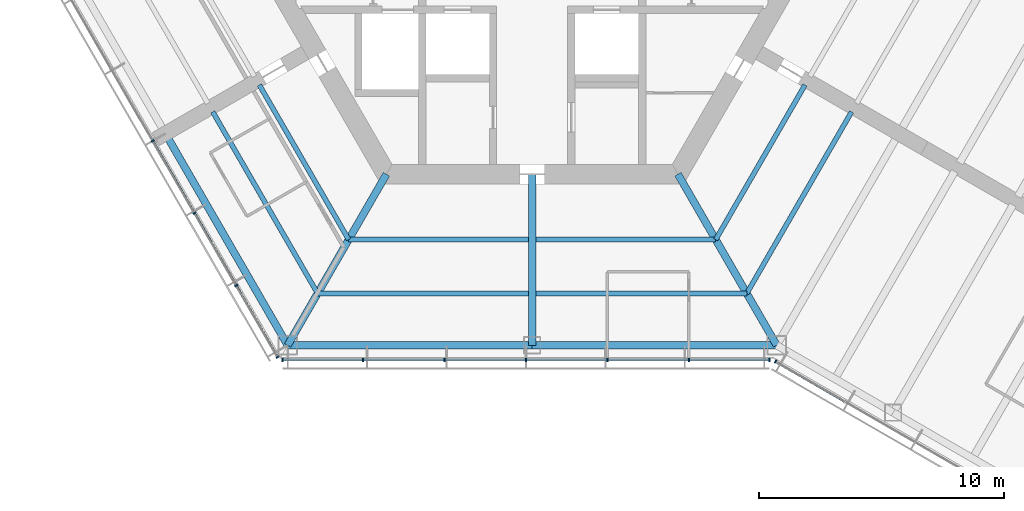
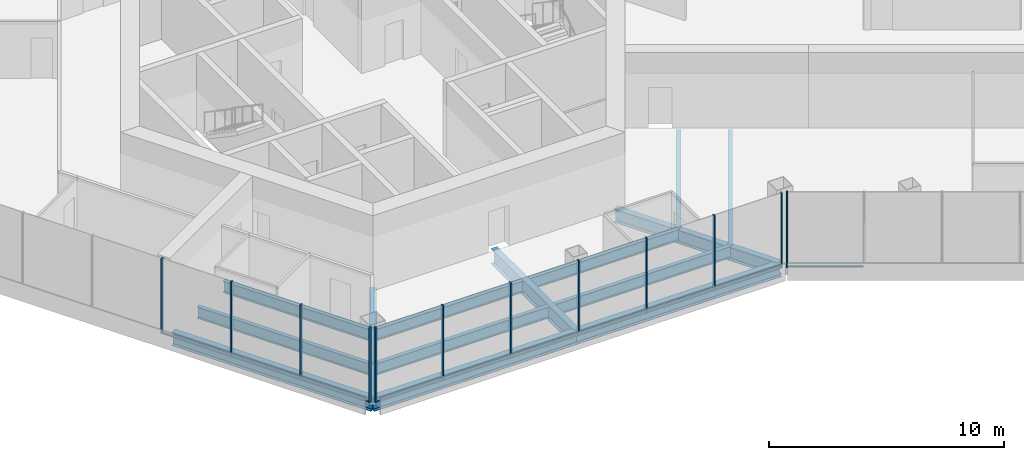
# One storey, part 2 of 15: 22 members, 14 beams, 3 elements without a shape of their own.
"""IFC4 building model written with IfcOpenShell, lengths in metres."""

from ifc_helpers import new_model, si_unit, direction, frame, origin, origin_2d, place, context, subcontext, project, spatial, rectangle, i_section, extrude, material, material_profile, profile_set, type_object, element, aggregate, save


model = new_model("IFC4")

# Units and contexts
model_context = context("Model", 3, precision=1e-05, world=origin(), true_north=direction((0.0, 1.0)))
body_context = subcontext(model_context, "Body", "Model", "MODEL_VIEW")
ifc_project = project(units=[si_unit("LENGTHUNIT", "METRE"), si_unit("AREAUNIT", "SQUARE_METRE"), si_unit("VOLUMEUNIT", "CUBIC_METRE"), si_unit("PLANEANGLEUNIT", "RADIAN"), si_unit("MASSUNIT", "GRAM", prefix="KILO")], contexts=[model_context])

# Site, building, storey
site_placement = place(None, origin())
site = spatial("IfcSite", under=ifc_project, at=site_placement, CompositionType="ELEMENT")
building_placement = place(site_placement, origin())
building = spatial("IfcBuilding", under=site, at=building_placement, Name="Kasaneha Research Tower", CompositionType="ELEMENT")
storey_placement = place(building_placement, frame((0.0, 0.0, 244.0)))
storey = spatial("IfcBuildingStorey", under=building, at=storey_placement, Name="L61", CompositionType="ELEMENT", Elevation=244.0)

# Beams
ifc_material_1 = material(Name="Steel SN490B", Category="steel")
ifc_material_profile_1 = material_profile(ifc_material_1, i_section(OverallWidth=0.199951171875, OverallDepth=0.60009765625, WebThickness=0.010986328125, FlangeThickness=0.01708984375, FilletRadius=0.012939453125, at=origin_2d()), Name="H-600x200x11x17")
ifc_profile_set_1 = profile_set([ifc_material_profile_1], Name="Steel SN490B")
beam_type_1 = type_object("IfcBeamType", Name="B1-3 secondary beam H-600x200x11x17", PredefinedType="JOIST", material=ifc_profile_set_1)
beam_1_placement = place(storey_placement, frame((-7.505615234375, -13.0, -0.449951171875), z_axis=(-0.499999192304, 0.866025870108, 0.0), x_axis=(-0.866025870108, -0.499999192304, 0.0)))
element("IfcBeam", 1, at=beam_1_placement, inside=storey, type_object=beam_type_1, Name="Secondary beam RS210R1 L61", PredefinedType="JOIST", context=body_context, shape_type="SweptSolid", body=[
    extrude(i_section(OverallWidth=0.199951171875, OverallDepth=0.60009765625, WebThickness=0.010986328125, FlangeThickness=0.01708984375, FilletRadius=0.012939453125, at=origin_2d()), origin(), (0.0, 0.0, 1.0), 7.3056640625),
])
beam_2_placement = place(storey_placement, frame((-8.775634765625, -15.199951171875, -0.449951171875), z_axis=(-0.500000102728, 0.866025344474, 0.0), x_axis=(-0.866025344474, -0.500000102728, 0.0)))
element("IfcBeam", 2, at=beam_2_placement, inside=storey, type_object=beam_type_1, Name="Secondary beam RS210R2 L61", PredefinedType="JOIST", context=body_context, shape_type="SweptSolid", body=[
    extrude(i_section(OverallWidth=0.199951171875, OverallDepth=0.60009765625, WebThickness=0.010986328125, FlangeThickness=0.01708984375, FilletRadius=0.012939453125, at=origin_2d()), origin(), (0.0, 0.0, 1.0), 8.57568359375),
])
beam_3_placement = place(storey_placement, frame((-7.505615234375, -13.0, -0.449951171875), z_axis=(1.0, 0.0, 0.0), x_axis=(0.0, 1.0, 0.0)))
element("IfcBeam", 3, at=beam_3_placement, inside=storey, type_object=beam_type_1, Name="Secondary beam RS270L1 L61", PredefinedType="JOIST", context=body_context, shape_type="SweptSolid", body=[
    extrude(i_section(OverallWidth=0.199951171875, OverallDepth=0.60009765625, WebThickness=0.010986328125, FlangeThickness=0.01708984375, FilletRadius=0.012939453125, at=origin_2d()), origin(), (0.0, 0.0, 1.0), 7.355712890625),
])
beam_4_placement = place(storey_placement, frame((-8.775634765625, -15.199951171875, -0.449951171875), z_axis=(1.0, 0.0, 0.0), x_axis=(0.0, 1.0, 0.0)))
element("IfcBeam", 4, at=beam_4_placement, inside=storey, type_object=beam_type_1, Name="Secondary beam RS270L2 L61", PredefinedType="JOIST", context=body_context, shape_type="SweptSolid", body=[
    extrude(i_section(OverallWidth=0.199951171875, OverallDepth=0.60009765625, WebThickness=0.010986328125, FlangeThickness=0.01708984375, FilletRadius=0.012939453125, at=origin_2d()), origin(), (0.0, 0.0, 1.0), 8.625732421875),
])
beam_5_placement = place(storey_placement, frame((7.505615234375, -13.0, -0.449951171875), z_axis=(-1.0, 0.0, 0.0), x_axis=(0.0, -1.0, 0.0)))
element("IfcBeam", 5, at=beam_5_placement, inside=storey, type_object=beam_type_1, Name="Secondary beam RS270R1 L61", PredefinedType="JOIST", context=body_context, shape_type="SweptSolid", body=[
    extrude(i_section(OverallWidth=0.199951171875, OverallDepth=0.60009765625, WebThickness=0.010986328125, FlangeThickness=0.01708984375, FilletRadius=0.012939453125, at=origin_2d()), origin(), (0.0, 0.0, 1.0), 7.355712890625),
])
beam_6_placement = place(storey_placement, frame((8.775634765625, -15.199951171875, -0.449951171875), z_axis=(-1.0, 0.0, 0.0), x_axis=(0.0, -1.0, 0.0)))
element("IfcBeam", 6, at=beam_6_placement, inside=storey, type_object=beam_type_1, Name="Secondary beam RS270R2 L61", PredefinedType="JOIST", context=body_context, shape_type="SweptSolid", body=[
    extrude(i_section(OverallWidth=0.199951171875, OverallDepth=0.60009765625, WebThickness=0.010986328125, FlangeThickness=0.01708984375, FilletRadius=0.012939453125, at=origin_2d()), origin(), (0.0, 0.0, 1.0), 8.625732421875),
])
beam_7_placement = place(storey_placement, frame((7.505615234375, -13.0, -0.449951171875), z_axis=(0.499999192304, 0.866025870108, 0.0), x_axis=(-0.866025870108, 0.499999192304, 0.0)))
element("IfcBeam", 7, at=beam_7_placement, inside=storey, type_object=beam_type_1, Name="Secondary beam RS330L1 L61", PredefinedType="JOIST", context=body_context, shape_type="SweptSolid", body=[
    extrude(i_section(OverallWidth=0.199951171875, OverallDepth=0.60009765625, WebThickness=0.010986328125, FlangeThickness=0.01708984375, FilletRadius=0.012939453125, at=origin_2d()), origin(), (0.0, 0.0, 1.0), 7.3056640625),
])
beam_8_placement = place(storey_placement, frame((8.775634765625, -15.199951171875, -0.449951171875), z_axis=(0.500000102728, 0.866025344474, 0.0), x_axis=(-0.866025344474, 0.500000102728, 0.0)))
element("IfcBeam", 8, at=beam_8_placement, inside=storey, type_object=beam_type_1, Name="Secondary beam RS330L2 L61", PredefinedType="JOIST", context=body_context, shape_type="SweptSolid", body=[
    extrude(i_section(OverallWidth=0.199951171875, OverallDepth=0.60009765625, WebThickness=0.010986328125, FlangeThickness=0.01708984375, FilletRadius=0.012939453125, at=origin_2d()), origin(), (0.0, 0.0, 1.0), 8.57568359375),
])

# Curtain wall, members
ifc_material_2 = material(Name="Glass and aluminium", Category="aluminium")
curtain_wall_type = type_object("IfcCurtainWallType", Name="High-rise office curtain wall", PredefinedType="USERDEFINED", material=ifc_material_2)
curtain_wall_1_placement = place(storey_placement, origin())
curtain_wall_1 = element("IfcCurtainWall", 9, at=curtain_wall_1_placement, inside=storey, type_object=curtain_wall_type, Name="CW-O3 L61 run 04a", ObjectType="UNITISED CURTAIN WALL", PredefinedType="USERDEFINED")
ifc_material_3 = material(Name="Aluminium 6063-T6", Category="aluminium")
ifc_material_profile_2 = material_profile(ifc_material_3, rectangle(XDim=0.06005859375, YDim=0.139892578125, at=origin_2d()), Name="CW-O3 mullion 60x140")
ifc_profile_set_2 = profile_set([ifc_material_profile_2], Name="Aluminium 6063-T6")
member_type_1 = type_object("IfcMemberType", Name="CW-O3 mullion", PredefinedType="MULLION", material=ifc_profile_set_2)
member_1_placement = place(storey_placement, frame((-15.51953125, -8.960205078125, 0.0), z_axis=(0.0, 0.0, 1.0), x_axis=(0.499999995722, -0.866025406254, 0.0)))
member_1 = element("IfcMember", 10, at=member_1_placement, type_object=member_type_1, Name="CW-O3 mullion 4", PredefinedType="MULLION", context=body_context, shape_type="SweptSolid", body=[
    extrude(rectangle(XDim=0.06005859375, YDim=0.139892578125, at=origin_2d()), origin(), (0.0, 0.0, 1.0), 3.89990234375),
])
member_2_placement = place(storey_placement, frame((-13.811767578125, -11.918212890625, 0.0), z_axis=(0.0, 0.0, 1.0), x_axis=(0.499999995722, -0.866025406254, 0.0)))
member_2 = element("IfcMember", 11, at=member_2_placement, type_object=member_type_1, Name="CW-O3 mullion 5", PredefinedType="MULLION", context=body_context, shape_type="SweptSolid", body=[
    extrude(rectangle(XDim=0.06005859375, YDim=0.139892578125, at=origin_2d()), origin(), (0.0, 0.0, 1.0), 3.89990234375),
])
member_3_placement = place(storey_placement, frame((-12.104248046875, -14.8759765625, 0.0), z_axis=(0.0, 0.0, 1.0), x_axis=(0.499999995722, -0.866025406254, 0.0)))
member_3 = element("IfcMember", 12, at=member_3_placement, type_object=member_type_1, Name="CW-O3 mullion 6", PredefinedType="MULLION", context=body_context, shape_type="SweptSolid", body=[
    extrude(rectangle(XDim=0.06005859375, YDim=0.139892578125, at=origin_2d()), origin(), (0.0, 0.0, 1.0), 3.89990234375),
])
member_4_placement = place(storey_placement, frame((-10.411376953125, -17.807861328125, 0.0), z_axis=(0.0, 0.0, 1.0), x_axis=(0.499999995722, -0.866025406254, 0.0)))
member_4 = element("IfcMember", 13, at=member_4_placement, type_object=member_type_1, Name="CW-O3 mullion 7", PredefinedType="MULLION", context=body_context, shape_type="SweptSolid", body=[
    extrude(rectangle(XDim=0.06005859375, YDim=0.139892578125, at=origin_2d()), origin(), (0.0, 0.0, 1.0), 3.89990234375),
])

curtain_wall_2_placement = place(storey_placement, origin())
curtain_wall_2 = element("IfcCurtainWall", 14, at=curtain_wall_2_placement, inside=storey, type_object=curtain_wall_type, Name="CW-O3 L61 run 05a", ObjectType="UNITISED CURTAIN WALL", PredefinedType="USERDEFINED")
member_5_placement = place(storey_placement, frame((-10.21630859375, -17.92041015625, 0.0), z_axis=(0.0, 0.0, 1.0), x_axis=(1.0, 0.0, 0.0)))
member_5 = element("IfcMember", 15, at=member_5_placement, type_object=member_type_1, Name="CW-O3 mullion 1", PredefinedType="MULLION", context=body_context, shape_type="SweptSolid", body=[
    extrude(rectangle(XDim=0.06005859375, YDim=0.139892578125, at=origin_2d()), origin(), (0.0, 0.0, 1.0), 3.89990234375),
])
member_6_placement = place(storey_placement, frame((-6.91552734375, -17.92041015625, 0.0), z_axis=(0.0, 0.0, 1.0), x_axis=(1.0, 0.0, 0.0)))
member_6 = element("IfcMember", 16, at=member_6_placement, type_object=member_type_1, Name="CW-O3 mullion 2", PredefinedType="MULLION", context=body_context, shape_type="SweptSolid", body=[
    extrude(rectangle(XDim=0.06005859375, YDim=0.139892578125, at=origin_2d()), origin(), (0.0, 0.0, 1.0), 3.89990234375),
])
member_7_placement = place(storey_placement, frame((-3.58447265625, -17.92041015625, 0.0), z_axis=(0.0, 0.0, 1.0), x_axis=(1.0, 0.0, 0.0)))
member_7 = element("IfcMember", 17, at=member_7_placement, type_object=member_type_1, Name="CW-O3 mullion 3", PredefinedType="MULLION", context=body_context, shape_type="SweptSolid", body=[
    extrude(rectangle(XDim=0.06005859375, YDim=0.139892578125, at=origin_2d()), origin(), (0.0, 0.0, 1.0), 3.89990234375),
])
member_8_placement = place(storey_placement, frame((-0.253662109375, -17.92041015625, 0.0), z_axis=(0.0, 0.0, 1.0), x_axis=(1.0, 0.0, 0.0)))
member_8 = element("IfcMember", 18, at=member_8_placement, type_object=member_type_1, Name="CW-O3 mullion 4", PredefinedType="MULLION", context=body_context, shape_type="SweptSolid", body=[
    extrude(rectangle(XDim=0.06005859375, YDim=0.139892578125, at=origin_2d()), origin(), (0.0, 0.0, 1.0), 3.89990234375),
])
member_9_placement = place(storey_placement, frame((3.077392578125, -17.92041015625, 0.0), z_axis=(0.0, 0.0, 1.0), x_axis=(1.0, 0.0, 0.0)))
member_9 = element("IfcMember", 19, at=member_9_placement, type_object=member_type_1, Name="CW-O3 mullion 5", PredefinedType="MULLION", context=body_context, shape_type="SweptSolid", body=[
    extrude(rectangle(XDim=0.06005859375, YDim=0.139892578125, at=origin_2d()), origin(), (0.0, 0.0, 1.0), 3.89990234375),
])
member_10_placement = place(storey_placement, frame((6.408203125, -17.92041015625, 0.0), z_axis=(0.0, 0.0, 1.0), x_axis=(1.0, 0.0, 0.0)))
member_10 = element("IfcMember", 20, at=member_10_placement, type_object=member_type_1, Name="CW-O3 mullion 6", PredefinedType="MULLION", context=body_context, shape_type="SweptSolid", body=[
    extrude(rectangle(XDim=0.06005859375, YDim=0.139892578125, at=origin_2d()), origin(), (0.0, 0.0, 1.0), 3.89990234375),
])
member_11_placement = place(storey_placement, frame((9.709228515625, -17.92041015625, 0.0), z_axis=(0.0, 0.0, 1.0), x_axis=(1.0, 0.0, 0.0)))
member_11 = element("IfcMember", 21, at=member_11_placement, type_object=member_type_1, Name="CW-O3 mullion 7", PredefinedType="MULLION", context=body_context, shape_type="SweptSolid", body=[
    extrude(rectangle(XDim=0.06005859375, YDim=0.139892578125, at=origin_2d()), origin(), (0.0, 0.0, 1.0), 3.89990234375),
])

# Curtain wall, member
curtain_wall_3_placement = place(storey_placement, origin())
curtain_wall_3 = element("IfcCurtainWall", 22, at=curtain_wall_3_placement, inside=storey, type_object=curtain_wall_type, Name="CW-O3 L61 run 06a", ObjectType="UNITISED CURTAIN WALL", PredefinedType="USERDEFINED")
member_12_placement = place(storey_placement, frame((9.951904296875, -17.985595703125, 0.0), z_axis=(0.0, 0.0, 1.0), x_axis=(0.866025411464, -0.499999986699, 0.0)))
member_12 = element("IfcMember", 23, at=member_12_placement, type_object=member_type_1, Name="CW-O3 mullion 1", PredefinedType="MULLION", context=body_context, shape_type="SweptSolid", body=[
    extrude(rectangle(XDim=0.06005859375, YDim=0.139892578125, at=origin_2d()), origin(), (0.0, 0.0, 1.0), 3.89990234375),
])

# Member
ifc_material_4 = material(Name="Aluminium 6063-T6", Category="aluminium")
ifc_material_profile_3 = material_profile(ifc_material_4, rectangle(XDim=0.10009765625, YDim=0.06005859375, at=origin_2d()), Name="CW-O3 transom 100x60")
ifc_profile_set_3 = profile_set([ifc_material_profile_3], Name="Aluminium 6063-T6")
member_type_2 = type_object("IfcMemberType", Name="CW-O3 transom", PredefinedType="USERDEFINED", material=ifc_profile_set_3)
member_13_placement = place(storey_placement, frame((-15.504638671875, -8.986328125, 0.030029296875), z_axis=(0.500020578564, -0.866013522419, 0.0), x_axis=(0.866013522419, 0.500020578564, 0.0)))
member_13 = element("IfcMember", 24, at=member_13_placement, type_object=member_type_2, Name="CW-O3 transom 4", ObjectType="TRANSOM", PredefinedType="USERDEFINED", context=body_context, shape_type="SweptSolid", body=[
    extrude(rectangle(XDim=0.10009765625, YDim=0.06005859375, at=origin_2d()), origin(), (0.0, 0.0, 1.0), 3.355224609375),
])

member_14_placement = place(storey_placement, frame((-13.796875, -11.944091796875, 0.030029296875), z_axis=(0.499989072476, -0.866031712701, 0.0), x_axis=(0.866031712701, 0.499989072476, 0.0)))
member_14 = element("IfcMember", 25, at=member_14_placement, type_object=member_type_2, Name="CW-O3 transom 5", ObjectType="TRANSOM", PredefinedType="USERDEFINED", context=body_context, shape_type="SweptSolid", body=[
    extrude(rectangle(XDim=0.10009765625, YDim=0.06005859375, at=origin_2d()), origin(), (0.0, 0.0, 1.0), 3.35546875),
])

member_15_placement = place(storey_placement, frame((-12.089111328125, -14.902099609375, 0.030029296875), z_axis=(0.49997666526, -0.866038875684, 0.0), x_axis=(0.866038875684, 0.49997666526, 0.0)))
member_15 = element("IfcMember", 26, at=member_15_placement, type_object=member_type_2, Name="CW-O3 transom 6", ObjectType="TRANSOM", PredefinedType="USERDEFINED", context=body_context, shape_type="SweptSolid", body=[
    extrude(rectangle(XDim=0.10009765625, YDim=0.06005859375, at=origin_2d()), origin(), (0.0, 0.0, 1.0), 3.325439453125),
])

aggregate(curtain_wall_1, [member_1, member_2, member_3, member_4, member_13, member_14, member_15])

member_16_placement = place(storey_placement, frame((-10.1865234375, -17.92041015625, 0.030029296875), z_axis=(1.0, 0.0, 0.0), x_axis=(0.0, 1.0, 0.0)))
member_16 = element("IfcMember", 27, at=member_16_placement, type_object=member_type_2, Name="CW-O3 transom 1", ObjectType="TRANSOM", PredefinedType="USERDEFINED", context=body_context, shape_type="SweptSolid", body=[
    extrude(rectangle(XDim=0.10009765625, YDim=0.06005859375, at=origin_2d()), origin(), (0.0, 0.0, 1.0), 3.240966796875),
])

member_17_placement = place(storey_placement, frame((-6.885498046875, -17.92041015625, 0.030029296875), z_axis=(1.0, 0.0, 0.0), x_axis=(0.0, 1.0, 0.0)))
member_17 = element("IfcMember", 28, at=member_17_placement, type_object=member_type_2, Name="CW-O3 transom 2", ObjectType="TRANSOM", PredefinedType="USERDEFINED", context=body_context, shape_type="SweptSolid", body=[
    extrude(rectangle(XDim=0.10009765625, YDim=0.06005859375, at=origin_2d()), origin(), (0.0, 0.0, 1.0), 3.27099609375),
])

member_18_placement = place(storey_placement, frame((-3.554443359375, -17.92041015625, 0.030029296875), z_axis=(1.0, 0.0, 0.0), x_axis=(0.0, 1.0, 0.0)))
member_18 = element("IfcMember", 29, at=member_18_placement, type_object=member_type_2, Name="CW-O3 transom 3", ObjectType="TRANSOM", PredefinedType="USERDEFINED", context=body_context, shape_type="SweptSolid", body=[
    extrude(rectangle(XDim=0.10009765625, YDim=0.06005859375, at=origin_2d()), origin(), (0.0, 0.0, 1.0), 3.270751953125),
])

member_19_placement = place(storey_placement, frame((-0.2236328125, -17.92041015625, 0.030029296875), z_axis=(1.0, 0.0, 0.0), x_axis=(0.0, 1.0, 0.0)))
member_19 = element("IfcMember", 30, at=member_19_placement, type_object=member_type_2, Name="CW-O3 transom 4", ObjectType="TRANSOM", PredefinedType="USERDEFINED", context=body_context, shape_type="SweptSolid", body=[
    extrude(rectangle(XDim=0.10009765625, YDim=0.06005859375, at=origin_2d()), origin(), (0.0, 0.0, 1.0), 3.27099609375),
])

member_20_placement = place(storey_placement, frame((3.107421875, -17.92041015625, 0.030029296875), z_axis=(1.0, 0.0, 0.0), x_axis=(0.0, 1.0, 0.0)))
member_20 = element("IfcMember", 31, at=member_20_placement, type_object=member_type_2, Name="CW-O3 transom 5", ObjectType="TRANSOM", PredefinedType="USERDEFINED", context=body_context, shape_type="SweptSolid", body=[
    extrude(rectangle(XDim=0.10009765625, YDim=0.06005859375, at=origin_2d()), origin(), (0.0, 0.0, 1.0), 3.270751953125),
])

member_21_placement = place(storey_placement, frame((6.438232421875, -17.92041015625, 0.030029296875), z_axis=(1.0, 0.0, 0.0), x_axis=(0.0, 1.0, 0.0)))
member_21 = element("IfcMember", 32, at=member_21_placement, type_object=member_type_2, Name="CW-O3 transom 6", ObjectType="TRANSOM", PredefinedType="USERDEFINED", context=body_context, shape_type="SweptSolid", body=[
    extrude(rectangle(XDim=0.10009765625, YDim=0.06005859375, at=origin_2d()), origin(), (0.0, 0.0, 1.0), 3.240966796875),
])

aggregate(curtain_wall_2, [member_5, member_6, member_7, member_8, member_9, member_10, member_11, member_16, member_17, member_18, member_19, member_20, member_21])

member_22_placement = place(storey_placement, frame((9.977783203125, -18.00048828125, 0.030029296875), z_axis=(0.866022692473, -0.500004696101, 0.0), x_axis=(0.500004696101, 0.866022692473, 0.0)))
member_22 = element("IfcMember", 33, at=member_22_placement, type_object=member_type_2, Name="CW-O3 transom 1", ObjectType="TRANSOM", PredefinedType="USERDEFINED", context=body_context, shape_type="SweptSolid", body=[
    extrude(rectangle(XDim=0.10009765625, YDim=0.06005859375, at=origin_2d()), origin(), (0.0, 0.0, 1.0), 3.2197265625),
])

aggregate(curtain_wall_3, [member_12, member_22])

# Beams
ifc_material_5 = material(Name="Steel SN490B", Category="steel")
ifc_material_profile_4 = material_profile(ifc_material_5, i_section(OverallWidth=0.300048828125, OverallDepth=0.699951171875, WebThickness=0.012939453125, FlangeThickness=0.02392578125, FilletRadius=0.01806640625, at=origin_2d()), Name="H-700x300x13x24")
ifc_profile_set_4 = profile_set([ifc_material_profile_4], Name="Steel SN490B")
beam_type_2 = type_object("IfcBeamType", Name="G1-3 radial girder H-700x300x13x24", PredefinedType="BEAM", material=ifc_profile_set_4)
for number, where, z_axis, x_axis, name in (
    (34, (-5.961181640625, -10.324951171875, -0.5), (-0.49999105496, -0.866030568144, 0.0), (0.866030568144, -0.49999105496, 0.0), "Radial girder RV240 L61"),
    (35, (5.961181640625, -10.324951171875, -0.5), (0.49999105496, -0.866030568144, 0.0), (0.866030568144, 0.49999105496, 0.0), "Radial girder RV300 L61"),
):
    element("IfcBeam", number, at=place(storey_placement, frame(where, z_axis=z_axis, x_axis=x_axis)), inside=storey, type_object=beam_type_2, Name=name, PredefinedType="BEAM", context=body_context, shape_type="SweptSolid", body=[
        extrude(i_section(OverallWidth=0.300048828125, OverallDepth=0.699951171875, WebThickness=0.012939453125, FlangeThickness=0.02392578125, FilletRadius=0.01806640625, at=origin_2d()), origin(), (0.0, 0.0, 1.0), 8.077880859375),
    ])
ifc_material_6 = material(Name="Steel SN490B", Category="steel")
ifc_material_profile_5 = material_profile(ifc_material_6, i_section(OverallWidth=0.300048828125, OverallDepth=0.800048828125, WebThickness=0.013916015625, FlangeThickness=0.02587890625, FilletRadius=0.01806640625, at=origin_2d()), Name="H-800x300x14x26")
ifc_profile_set_5 = profile_set([ifc_material_profile_5], Name="Steel SN490B")
beam_type_3 = type_object("IfcBeamType", Name="G2-3 radial girder H-800x300x14x26", PredefinedType="BEAM", material=ifc_profile_set_5)
beam_9_placement = place(storey_placement, frame((0.0, -10.324951171875, -0.550048828125), z_axis=(0.0, -1.0, 0.0), x_axis=(1.0, 0.0, 0.0)))
element("IfcBeam", 36, at=beam_9_placement, inside=storey, type_object=beam_type_3, Name="Radial girder RM270 L61", PredefinedType="BEAM", context=body_context, shape_type="SweptSolid", body=[
    extrude(i_section(OverallWidth=0.300048828125, OverallDepth=0.800048828125, WebThickness=0.013916015625, FlangeThickness=0.02587890625, FilletRadius=0.01806640625, at=origin_2d()), origin(), (0.0, 0.0, 1.0), 6.99560546875),
])
ifc_material_7 = material(Name="Steel SN490B", Category="steel")
ifc_material_profile_6 = material_profile(ifc_material_7, i_section(OverallWidth=0.300048828125, OverallDepth=0.69189453125, WebThickness=0.012939453125, FlangeThickness=0.02001953125, FilletRadius=0.01806640625, at=origin_2d()), Name="H-692x300x13x20")
ifc_profile_set_6 = profile_set([ifc_material_profile_6], Name="Steel SN490B")
beam_type_4 = type_object("IfcBeamType", Name="G3-3 plate edge girder H-692x300x13x20", PredefinedType="BEAM", material=ifc_profile_set_6)
beam_10_placement = place(storey_placement, frame((-10.0, -17.320556640625, -0.49609375), z_axis=(-0.49999201416, 0.866030014362, 0.0), x_axis=(-0.866030014362, -0.49999201416, 0.0)))
element("IfcBeam", 37, at=beam_10_placement, inside=storey, type_object=beam_type_4, Name="Plate edge girder PEBN L61", PredefinedType="BEAM", context=body_context, shape_type="SweptSolid", body=[
    extrude(i_section(OverallWidth=0.300048828125, OverallDepth=0.69189453125, WebThickness=0.012939453125, FlangeThickness=0.02001953125, FilletRadius=0.01806640625, at=origin_2d()), origin(), (0.0, 0.0, 1.0), 9.800048828125),
])
ifc_material_8 = material(Name="Steel SN490B", Category="steel")
ifc_material_profile_7 = material_profile(ifc_material_8, i_section(OverallWidth=0.300048828125, OverallDepth=0.69189453125, WebThickness=0.012939453125, FlangeThickness=0.02001953125, FilletRadius=0.01806640625, at=origin_2d()), Name="H-692x300x13x20")
ifc_profile_set_7 = profile_set([ifc_material_profile_7], Name="Steel SN490B")
beam_type_5 = type_object("IfcBeamType", Name="SB1-3 spandrel beam H-692x300x13x20", PredefinedType="SPANDREL", material=ifc_profile_set_7)
for number, where, z_axis, x_axis, name in (
    (38, (-10.0, -17.320556640625, -0.49609375), (1.0, 0.0, 0.0), (0.0, 1.0, 0.0), "Spandrel beam SR270L L61"),
    (39, (10.0, -17.320556640625, -0.49609375), (-1.0, 0.0, 0.0), (0.0, -1.0, 0.0), "Spandrel beam SR270R L61"),
):
    element("IfcBeam", number, at=place(storey_placement, frame(where, z_axis=z_axis, x_axis=x_axis)), inside=storey, type_object=beam_type_5, Name=name, PredefinedType="SPANDREL", context=body_context, shape_type="SweptSolid", body=[
        extrude(i_section(OverallWidth=0.300048828125, OverallDepth=0.69189453125, WebThickness=0.012939453125, FlangeThickness=0.02001953125, FilletRadius=0.01806640625, at=origin_2d()), origin(), (0.0, 0.0, 1.0), 10.0),
    ])

save(model, "model.ifc")
